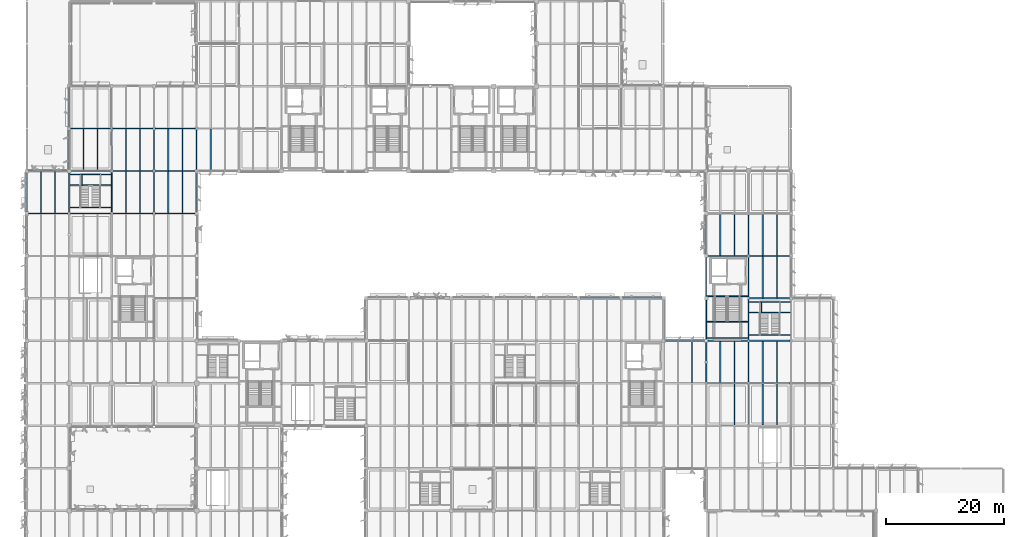
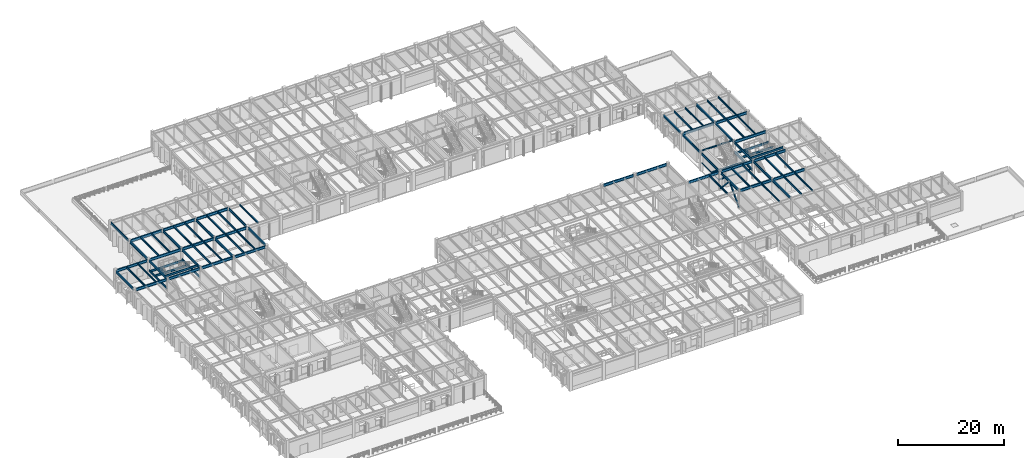
# One storey, part 20 of 92: 82 beams, 2 members.
"""IFC4 building model written with IfcOpenShell, lengths in metres."""

from ifc_helpers import new_model, si_unit, direction, frame, origin, origin_2d, place, context, subcontext, project, spatial, hollow_rectangle, i_section, extrude, material, material_profile, profile_set, type_object, element, save


model = new_model("IFC4")

# Units and contexts
model_context = context("Model", 3, precision=1e-05, world=origin(), true_north=direction((0.0, 1.0)))
body_context = subcontext(model_context, "Body", "Model", "MODEL_VIEW")
ifc_project = project(units=[si_unit("LENGTHUNIT", "METRE"), si_unit("AREAUNIT", "SQUARE_METRE"), si_unit("VOLUMEUNIT", "CUBIC_METRE"), si_unit("PLANEANGLEUNIT", "RADIAN"), si_unit("MASSUNIT", "GRAM", prefix="KILO")], contexts=[model_context])

# Site, building, storey
site_placement = place(None, origin())
site = spatial("IfcSite", under=ifc_project, at=site_placement, CompositionType="ELEMENT")
building_placement = place(site_placement, origin())
building = spatial("IfcBuilding", under=site, at=building_placement, Name="Sillqori Civic Hall", CompositionType="ELEMENT")
storey_placement = place(building_placement, frame((0.0, 0.0, 5.39990234375)))
storey = spatial("IfcBuildingStorey", under=building, at=storey_placement, Name="L02", CompositionType="ELEMENT", Elevation=5.39990234375)

# Beams
ifc_material_1 = material(Name="Steel ASTM A992", Category="steel")
ifc_material_profile_1 = material_profile(ifc_material_1, i_section(OverallWidth=0.19091796875, OverallDepth=0.4599609375, WebThickness=0.010009765625, FlangeThickness=0.01611328125, FilletRadius=0.012939453125, at=origin_2d()), Name="W18X55")
ifc_profile_set_1 = profile_set([ifc_material_profile_1], Name="Steel ASTM A992")
beam_type_1 = type_object("IfcBeamType", Name="BM-W18X55", PredefinedType="BEAM", material=ifc_profile_set_1)
beam_1_placement = place(storey_placement, frame((14.39990234375, 72.181884765625, 1.8251953125), z_axis=(0.0, 1.0, 0.0), x_axis=(-1.0, 0.0, 0.0)))
element("IfcBeam", 1, at=beam_1_placement, inside=storey, type_object=beam_type_1, Name="West Committee Upper Stair L02-L03 landing stringer girder W", PredefinedType="BEAM", context=body_context, shape_type="SweptSolid", body=[
    extrude(i_section(OverallWidth=0.19091796875, OverallDepth=0.4599609375, WebThickness=0.010009765625, FlangeThickness=0.01611328125, FilletRadius=0.012939453125, at=origin_2d()), origin(), (0.0, 0.0, 1.0), 6.72412109375),
])
beam_2_placement = place(storey_placement, frame((21.60009765625, 72.181884765625, 1.8251953125), z_axis=(0.0, 1.0, 0.0), x_axis=(-1.0, 0.0, 0.0)))
element("IfcBeam", 2, at=beam_2_placement, inside=storey, type_object=beam_type_1, Name="West Committee Upper Stair L02-L03 landing stringer girder E", PredefinedType="BEAM", context=body_context, shape_type="SweptSolid", body=[
    extrude(i_section(OverallWidth=0.19091796875, OverallDepth=0.4599609375, WebThickness=0.010009765625, FlangeThickness=0.01611328125, FilletRadius=0.012939453125, at=origin_2d()), origin(), (0.0, 0.0, 1.0), 6.836181640625),
])
for number, where, z_axis, x_axis, name in (
    (3, (14.43994140625, 76.7900390625, 1.8251953125), (1.0, 0.0, 0.0), (0.0, 1.0, 0.0), "West Committee Upper Stair L02-L03 half-landing cross trimmer 1"),
    (4, (14.43994140625, 78.580078125, 1.8251953125), (1.0, 0.0, 0.0), (0.0, 1.0, 0.0), "West Committee Upper Stair L02-L03 half-landing cross trimmer 2"),
):
    element("IfcBeam", number, at=place(storey_placement, frame(where, z_axis=z_axis, x_axis=x_axis)), inside=storey, type_object=beam_type_1, Name=name, PredefinedType="BEAM", context=body_context, shape_type="SweptSolid", body=[
        extrude(i_section(OverallWidth=0.19091796875, OverallDepth=0.4599609375, WebThickness=0.010009765625, FlangeThickness=0.01611328125, FilletRadius=0.012939453125, at=origin_2d()), origin(), (0.0, 0.0, 1.0), 7.1201171875),
    ])
beam_3_placement = place(storey_placement, frame((16.60009765625, 76.760009765625, 1.8251953125), z_axis=(0.0, 1.0, 0.0), x_axis=(-1.0, 0.0, 0.0)))
element("IfcBeam", 5, at=beam_3_placement, inside=storey, type_object=beam_type_1, Name="West Committee Upper Stair L02-L03 half-landing spine rib", PredefinedType="BEAM", context=body_context, shape_type="SweptSolid", body=[
    extrude(i_section(OverallWidth=0.19091796875, OverallDepth=0.4599609375, WebThickness=0.010009765625, FlangeThickness=0.01611328125, FilletRadius=0.012939453125, at=origin_2d()), origin(), (0.0, 0.0, 1.0), 1.85009765625),
])
beam_4_placement = place(storey_placement, frame((14.43994140625, 73.0, 4.0751953125), z_axis=(1.0, 0.0, 0.0), x_axis=(0.0, 1.0, 0.0)))
element("IfcBeam", 6, at=beam_4_placement, inside=storey, type_object=beam_type_1, Name="West Committee Upper Stair L02-L03 upper arrival trimmer beam", PredefinedType="BEAM", context=body_context, shape_type="SweptSolid", body=[
    extrude(i_section(OverallWidth=0.19091796875, OverallDepth=0.4599609375, WebThickness=0.010009765625, FlangeThickness=0.01611328125, FilletRadius=0.012939453125, at=origin_2d()), origin(), (0.0, 0.0, 1.0), 7.1201171875),
])
beam_5_placement = place(storey_placement, frame((129.60009765625, 50.577880859375, 1.8251953125), z_axis=(0.0, 1.0, 0.0), x_axis=(-1.0, 0.0, 0.0)))
element("IfcBeam", 7, at=beam_5_placement, inside=storey, type_object=beam_type_1, Name="Members Library Stacks Stair L02-L03 landing stringer girder W", PredefinedType="BEAM", context=body_context, shape_type="SweptSolid", body=[
    extrude(i_section(OverallWidth=0.19091796875, OverallDepth=0.4599609375, WebThickness=0.010009765625, FlangeThickness=0.01611328125, FilletRadius=0.012939453125, at=origin_2d()), origin(), (0.0, 0.0, 1.0), 6.84423828125),
])
for number, where, z_axis, x_axis, name in (
    (8, (129.639892578125, 55.18994140625, 1.8251953125), (1.0, 0.0, 0.0), (0.0, 1.0, 0.0), "Members Library Stacks Stair L02-L03 half-landing cross trimmer 1"),
    (9, (129.639892578125, 56.97998046875, 1.8251953125), (1.0, 0.0, 0.0), (0.0, 1.0, 0.0), "Members Library Stacks Stair L02-L03 half-landing cross trimmer 2"),
):
    element("IfcBeam", number, at=place(storey_placement, frame(where, z_axis=z_axis, x_axis=x_axis)), inside=storey, type_object=beam_type_1, Name=name, PredefinedType="BEAM", context=body_context, shape_type="SweptSolid", body=[
        extrude(i_section(OverallWidth=0.19091796875, OverallDepth=0.4599609375, WebThickness=0.010009765625, FlangeThickness=0.01611328125, FilletRadius=0.012939453125, at=origin_2d()), origin(), (0.0, 0.0, 1.0), 7.1201171875),
    ])
beam_6_placement = place(storey_placement, frame((131.800048828125, 55.159912109375, 1.8251953125), z_axis=(0.0, 1.0, 0.0), x_axis=(-1.0, 0.0, 0.0)))
element("IfcBeam", 10, at=beam_6_placement, inside=storey, type_object=beam_type_1, Name="Members Library Stacks Stair L02-L03 half-landing spine rib", PredefinedType="BEAM", context=body_context, shape_type="SweptSolid", body=[
    extrude(i_section(OverallWidth=0.19091796875, OverallDepth=0.4599609375, WebThickness=0.010009765625, FlangeThickness=0.01611328125, FilletRadius=0.012939453125, at=origin_2d()), origin(), (0.0, 0.0, 1.0), 1.85009765625),
])
beam_7_placement = place(storey_placement, frame((129.639892578125, 51.39990234375, 4.0751953125), z_axis=(1.0, 0.0, 0.0), x_axis=(0.0, 1.0, 0.0)))
element("IfcBeam", 11, at=beam_7_placement, inside=storey, type_object=beam_type_1, Name="Members Library Stacks Stair L02-L03 upper arrival trimmer beam", PredefinedType="BEAM", context=body_context, shape_type="SweptSolid", body=[
    extrude(i_section(OverallWidth=0.19091796875, OverallDepth=0.4599609375, WebThickness=0.010009765625, FlangeThickness=0.01611328125, FilletRadius=0.012939453125, at=origin_2d()), origin(), (0.0, 0.0, 1.0), 7.1201171875),
])
ifc_material_profile_2 = material_profile(ifc_material_1, i_section(OverallWidth=0.2099609375, OverallDepth=0.532958984375, WebThickness=0.01025390625, FlangeThickness=0.015625, FilletRadius=0.013916015625, at=origin_2d()), Name="W21X62")
ifc_profile_set_2 = profile_set([ifc_material_profile_2], Name="Steel ASTM A992")
beam_type_2 = type_object("IfcBeamType", Name="BM-W21X62", PredefinedType="BEAM", material=ifc_profile_set_2)
beam_8_placement = place(storey_placement, frame((7.199951171875, 72.2939453125, 4.03369140625), z_axis=(0.0, 1.0, 0.0), x_axis=(-1.0, 0.0, 0.0)))
element("IfcBeam", 12, at=beam_8_placement, inside=storey, type_object=beam_type_2, Name="L02 girder Y 1-10", PredefinedType="BEAM", context=body_context, shape_type="SweptSolid", body=[
    extrude(i_section(OverallWidth=0.2099609375, OverallDepth=0.532958984375, WebThickness=0.01025390625, FlangeThickness=0.015625, FilletRadius=0.013916015625, at=origin_2d()), origin(), (0.0, 0.0, 1.0), 6.612060546875),
])
beam_9_placement = place(storey_placement, frame((14.39990234375, 72.181884765625, 4.03369140625), z_axis=(0.0, 1.0, 0.0), x_axis=(-1.0, 0.0, 0.0)))
element("IfcBeam", 13, at=beam_9_placement, inside=storey, type_object=beam_type_2, Name="L02 girder Y 2-10", PredefinedType="BEAM", context=body_context, shape_type="SweptSolid", body=[
    extrude(i_section(OverallWidth=0.2099609375, OverallDepth=0.532958984375, WebThickness=0.01025390625, FlangeThickness=0.015625, FilletRadius=0.013916015625, at=origin_2d()), origin(), (0.0, 0.0, 1.0), 6.72412109375),
])
beam_10_placement = place(storey_placement, frame((14.39990234375, 79.493896484375, 4.03369140625), z_axis=(0.0, 1.0, 0.0), x_axis=(-1.0, 0.0, 0.0)))
element("IfcBeam", 14, at=beam_10_placement, inside=storey, type_object=beam_type_2, Name="L02 girder Y 2-11", PredefinedType="BEAM", context=body_context, shape_type="SweptSolid", body=[
    extrude(i_section(OverallWidth=0.2099609375, OverallDepth=0.532958984375, WebThickness=0.01025390625, FlangeThickness=0.015625, FilletRadius=0.013916015625, at=origin_2d()), origin(), (0.0, 0.0, 1.0), 6.662109375),
])
beam_11_placement = place(storey_placement, frame((14.39990234375, 86.64404296875, 4.03369140625), z_axis=(0.0, 1.0, 0.0), x_axis=(-1.0, 0.0, 0.0)))
element("IfcBeam", 15, at=beam_11_placement, inside=storey, type_object=beam_type_2, Name="L02 girder Y 2-12", PredefinedType="BEAM", context=body_context, shape_type="SweptSolid", body=[
    extrude(i_section(OverallWidth=0.2099609375, OverallDepth=0.532958984375, WebThickness=0.01025390625, FlangeThickness=0.015625, FilletRadius=0.013916015625, at=origin_2d()), origin(), (0.0, 0.0, 1.0), 6.7119140625),
])
beam_12_placement = place(storey_placement, frame((21.60009765625, 72.181884765625, 4.03369140625), z_axis=(0.0, 1.0, 0.0), x_axis=(-1.0, 0.0, 0.0)))
element("IfcBeam", 16, at=beam_12_placement, inside=storey, type_object=beam_type_2, Name="L02 girder Y 3-10", PredefinedType="BEAM", context=body_context, shape_type="SweptSolid", body=[
    extrude(i_section(OverallWidth=0.2099609375, OverallDepth=0.532958984375, WebThickness=0.01025390625, FlangeThickness=0.015625, FilletRadius=0.013916015625, at=origin_2d()), origin(), (0.0, 0.0, 1.0), 6.836181640625),
])
beam_13_placement = place(storey_placement, frame((21.60009765625, 79.382080078125, 4.03369140625), z_axis=(0.0, 1.0, 0.0), x_axis=(-1.0, 0.0, 0.0)))
element("IfcBeam", 17, at=beam_13_placement, inside=storey, type_object=beam_type_2, Name="L02 girder Y 3-11", PredefinedType="BEAM", context=body_context, shape_type="SweptSolid", body=[
    extrude(i_section(OverallWidth=0.2099609375, OverallDepth=0.532958984375, WebThickness=0.01025390625, FlangeThickness=0.015625, FilletRadius=0.013916015625, at=origin_2d()), origin(), (0.0, 0.0, 1.0), 6.843505859375),
])
beam_14_placement = place(storey_placement, frame((28.800048828125, 72.181884765625, 4.03369140625), z_axis=(0.0, 1.0, 0.0), x_axis=(-1.0, 0.0, 0.0)))
element("IfcBeam", 18, at=beam_14_placement, inside=storey, type_object=beam_type_2, Name="L02 girder Y 4-10", PredefinedType="BEAM", context=body_context, shape_type="SweptSolid", body=[
    extrude(i_section(OverallWidth=0.2099609375, OverallDepth=0.532958984375, WebThickness=0.01025390625, FlangeThickness=0.015625, FilletRadius=0.013916015625, at=origin_2d()), origin(), (0.0, 0.0, 1.0), 6.836181640625),
])
beam_15_placement = place(storey_placement, frame((28.800048828125, 79.382080078125, 4.03369140625), z_axis=(0.0, 1.0, 0.0), x_axis=(-1.0, 0.0, 0.0)))
element("IfcBeam", 19, at=beam_15_placement, inside=storey, type_object=beam_type_2, Name="L02 girder Y 4-11", PredefinedType="BEAM", context=body_context, shape_type="SweptSolid", body=[
    extrude(i_section(OverallWidth=0.2099609375, OverallDepth=0.532958984375, WebThickness=0.01025390625, FlangeThickness=0.015625, FilletRadius=0.013916015625, at=origin_2d()), origin(), (0.0, 0.0, 1.0), 6.83984375),
])
beam_16_placement = place(storey_placement, frame((36.0, 72.2939453125, 4.03369140625), z_axis=(0.0, 1.0, 0.0), x_axis=(-1.0, 0.0, 0.0)))
element("IfcBeam", 20, at=beam_16_placement, inside=storey, type_object=beam_type_2, Name="L02 girder Y 5-10", PredefinedType="BEAM", context=body_context, shape_type="SweptSolid", body=[
    extrude(i_section(OverallWidth=0.2099609375, OverallDepth=0.532958984375, WebThickness=0.01025390625, FlangeThickness=0.015625, FilletRadius=0.013916015625, at=origin_2d()), origin(), (0.0, 0.0, 1.0), 6.612060546875),
])
beam_17_placement = place(storey_placement, frame((36.0, 79.493896484375, 4.03369140625), z_axis=(0.0, 1.0, 0.0), x_axis=(-1.0, 0.0, 0.0)))
element("IfcBeam", 21, at=beam_17_placement, inside=storey, type_object=beam_type_2, Name="L02 girder Y 5-11", PredefinedType="BEAM", context=body_context, shape_type="SweptSolid", body=[
    extrude(i_section(OverallWidth=0.2099609375, OverallDepth=0.532958984375, WebThickness=0.01025390625, FlangeThickness=0.015625, FilletRadius=0.013916015625, at=origin_2d()), origin(), (0.0, 0.0, 1.0), 6.72412109375),
])
beam_18_placement = place(storey_placement, frame((122.39990234375, 43.3779296875, 4.03369140625), z_axis=(0.0, 1.0, 0.0), x_axis=(-1.0, 0.0, 0.0)))
element("IfcBeam", 22, at=beam_18_placement, inside=storey, type_object=beam_type_2, Name="L02 girder Y 17-6", PredefinedType="BEAM", context=body_context, shape_type="SweptSolid", body=[
    extrude(i_section(OverallWidth=0.2099609375, OverallDepth=0.532958984375, WebThickness=0.01025390625, FlangeThickness=0.015625, FilletRadius=0.013916015625, at=origin_2d()), origin(), (0.0, 0.0, 1.0), 6.72802734375),
])
beam_19_placement = place(storey_placement, frame((122.39990234375, 50.694091796875, 4.03369140625), z_axis=(0.0, 1.0, 0.0), x_axis=(-1.0, 0.0, 0.0)))
element("IfcBeam", 23, at=beam_19_placement, inside=storey, type_object=beam_type_2, Name="L02 girder Y 17-7", PredefinedType="BEAM", context=body_context, shape_type="SweptSolid", body=[
    extrude(i_section(OverallWidth=0.2099609375, OverallDepth=0.532958984375, WebThickness=0.01025390625, FlangeThickness=0.015625, FilletRadius=0.013916015625, at=origin_2d()), origin(), (0.0, 0.0, 1.0), 6.61181640625),
])
for number, where, z_axis, x_axis, name in (
    (24, (122.39990234375, 57.89404296875, 4.03369140625), (0.0, 1.0, 0.0), (-1.0, 0.0, 0.0), "L02 girder Y 17-8"),
    (25, (122.39990234375, 65.093994140625, 4.03369140625), (0.0, 1.0, 0.0), (-1.0, 0.0, 0.0), "L02 girder Y 17-9"),
):
    element("IfcBeam", number, at=place(storey_placement, frame(where, z_axis=z_axis, x_axis=x_axis)), inside=storey, type_object=beam_type_2, Name=name, PredefinedType="BEAM", context=body_context, shape_type="SweptSolid", body=[
        extrude(i_section(OverallWidth=0.2099609375, OverallDepth=0.532958984375, WebThickness=0.01025390625, FlangeThickness=0.015625, FilletRadius=0.013916015625, at=origin_2d()), origin(), (0.0, 0.0, 1.0), 6.612060546875),
    ])
for number, where, z_axis, x_axis, name in (
    (26, (129.60009765625, 36.177978515625, 4.03369140625), (0.0, 1.0, 0.0), (-1.0, 0.0, 0.0), "L02 girder Y 18-5"),
    (27, (129.60009765625, 43.3779296875, 4.03369140625), (0.0, 1.0, 0.0), (-1.0, 0.0, 0.0), "L02 girder Y 18-6"),
):
    element("IfcBeam", number, at=place(storey_placement, frame(where, z_axis=z_axis, x_axis=x_axis)), inside=storey, type_object=beam_type_2, Name=name, PredefinedType="BEAM", context=body_context, shape_type="SweptSolid", body=[
        extrude(i_section(OverallWidth=0.2099609375, OverallDepth=0.532958984375, WebThickness=0.01025390625, FlangeThickness=0.015625, FilletRadius=0.013916015625, at=origin_2d()), origin(), (0.0, 0.0, 1.0), 6.843994140625),
    ])
beam_20_placement = place(storey_placement, frame((129.60009765625, 50.577880859375, 4.03369140625), z_axis=(0.0, 1.0, 0.0), x_axis=(-1.0, 0.0, 0.0)))
element("IfcBeam", 28, at=beam_20_placement, inside=storey, type_object=beam_type_2, Name="L02 girder Y 18-7", PredefinedType="BEAM", context=body_context, shape_type="SweptSolid", body=[
    extrude(i_section(OverallWidth=0.2099609375, OverallDepth=0.532958984375, WebThickness=0.01025390625, FlangeThickness=0.015625, FilletRadius=0.013916015625, at=origin_2d()), origin(), (0.0, 0.0, 1.0), 6.84423828125),
])
for number, where, z_axis, x_axis, name in (
    (29, (129.60009765625, 57.778076171875, 4.03369140625), (0.0, 1.0, 0.0), (-1.0, 0.0, 0.0), "L02 girder Y 18-8"),
    (30, (129.60009765625, 64.97802734375, 4.03369140625), (0.0, 1.0, 0.0), (-1.0, 0.0, 0.0), "L02 girder Y 18-9"),
):
    element("IfcBeam", number, at=place(storey_placement, frame(where, z_axis=z_axis, x_axis=x_axis)), inside=storey, type_object=beam_type_2, Name=name, PredefinedType="BEAM", context=body_context, shape_type="SweptSolid", body=[
        extrude(i_section(OverallWidth=0.2099609375, OverallDepth=0.532958984375, WebThickness=0.01025390625, FlangeThickness=0.015625, FilletRadius=0.013916015625, at=origin_2d()), origin(), (0.0, 0.0, 1.0), 6.843994140625),
    ])
ifc_material_profile_3 = material_profile(ifc_material_1, i_section(OverallWidth=0.22802734375, OverallDepth=0.60205078125, WebThickness=0.010498046875, FlangeThickness=0.014892578125, FilletRadius=0.014892578125, at=origin_2d()), Name="W24X68")
ifc_profile_set_3 = profile_set([ifc_material_profile_3], Name="Steel ASTM A992")
beam_type_3 = type_object("IfcBeamType", Name="BM-W24X68", PredefinedType="BEAM", material=ifc_profile_set_3)
beam_21_placement = place(storey_placement, frame((7.493896484375, 72.0, 3.9990234375), z_axis=(1.0, 0.0, 0.0), x_axis=(0.0, 1.0, 0.0)))
element("IfcBeam", 31, at=beam_21_placement, inside=storey, type_object=beam_type_3, Name="L02 girder X 1-10", PredefinedType="BEAM", context=body_context, shape_type="SweptSolid", body=[
    extrude(i_section(OverallWidth=0.22802734375, OverallDepth=0.60205078125, WebThickness=0.010498046875, FlangeThickness=0.014892578125, FilletRadius=0.014892578125, at=origin_2d()), origin(), (0.0, 0.0, 1.0), 6.715087890625),
])
beam_22_placement = place(storey_placement, frame((7.493896484375, 79.199951171875, 3.9990234375), z_axis=(1.0, 0.0, 0.0), x_axis=(0.0, 1.0, 0.0)))
element("IfcBeam", 32, at=beam_22_placement, inside=storey, type_object=beam_type_3, Name="L02 girder X 1-11", PredefinedType="BEAM", context=body_context, shape_type="SweptSolid", body=[
    extrude(i_section(OverallWidth=0.22802734375, OverallDepth=0.60205078125, WebThickness=0.010498046875, FlangeThickness=0.014892578125, FilletRadius=0.014892578125, at=origin_2d()), origin(), (0.0, 0.0, 1.0), 6.612060546875),
])
beam_23_placement = place(storey_placement, frame((14.591064453125, 72.0, 3.9990234375), z_axis=(1.0, 0.0, 0.0), x_axis=(0.0, 1.0, 0.0)))
element("IfcBeam", 33, at=beam_23_placement, inside=storey, type_object=beam_type_3, Name="L02 girder X 2-10", PredefinedType="BEAM", context=body_context, shape_type="SweptSolid", body=[
    extrude(i_section(OverallWidth=0.22802734375, OverallDepth=0.60205078125, WebThickness=0.010498046875, FlangeThickness=0.014892578125, FilletRadius=0.014892578125, at=origin_2d()), origin(), (0.0, 0.0, 1.0), 6.81787109375),
])
beam_24_placement = place(storey_placement, frame((14.694091796875, 79.199951171875, 3.9990234375), z_axis=(1.0, 0.0, 0.0), x_axis=(0.0, 1.0, 0.0)))
element("IfcBeam", 34, at=beam_24_placement, inside=storey, type_object=beam_type_3, Name="L02 girder X 2-11", PredefinedType="BEAM", context=body_context, shape_type="SweptSolid", body=[
    extrude(i_section(OverallWidth=0.22802734375, OverallDepth=0.60205078125, WebThickness=0.010498046875, FlangeThickness=0.014892578125, FilletRadius=0.014892578125, at=origin_2d()), origin(), (0.0, 0.0, 1.0), 6.71484375),
])
beam_25_placement = place(storey_placement, frame((14.64404296875, 86.39990234375, 3.9990234375), z_axis=(1.0, 0.0, 0.0), x_axis=(0.0, 1.0, 0.0)))
element("IfcBeam", 35, at=beam_25_placement, inside=storey, type_object=beam_type_3, Name="L02 girder X 2-12", PredefinedType="BEAM", context=body_context, shape_type="SweptSolid", body=[
    extrude(i_section(OverallWidth=0.22802734375, OverallDepth=0.60205078125, WebThickness=0.010498046875, FlangeThickness=0.014892578125, FilletRadius=0.014892578125, at=origin_2d()), origin(), (0.0, 0.0, 1.0), 6.7763671875),
])
for number, where, z_axis, x_axis, name in (
    (36, (21.791015625, 72.0, 3.9990234375), (1.0, 0.0, 0.0), (0.0, 1.0, 0.0), "L02 girder X 3-10"),
    (37, (21.791015625, 79.199951171875, 3.9990234375), (1.0, 0.0, 0.0), (0.0, 1.0, 0.0), "L02 girder X 3-11"),
):
    element("IfcBeam", number, at=place(storey_placement, frame(where, z_axis=z_axis, x_axis=x_axis)), inside=storey, type_object=beam_type_3, Name=name, PredefinedType="BEAM", context=body_context, shape_type="SweptSolid", body=[
        extrude(i_section(OverallWidth=0.22802734375, OverallDepth=0.60205078125, WebThickness=0.010498046875, FlangeThickness=0.014892578125, FilletRadius=0.014892578125, at=origin_2d()), origin(), (0.0, 0.0, 1.0), 6.81787109375),
    ])
beam_26_placement = place(storey_placement, frame((21.779541015625, 86.39990234375, 3.9990234375), z_axis=(1.0, 0.0, 0.0), x_axis=(0.0, 1.0, 0.0)))
element("IfcBeam", 38, at=beam_26_placement, inside=storey, type_object=beam_type_3, Name="L02 girder X 3-12", PredefinedType="BEAM", context=body_context, shape_type="SweptSolid", body=[
    extrude(i_section(OverallWidth=0.22802734375, OverallDepth=0.60205078125, WebThickness=0.010498046875, FlangeThickness=0.014892578125, FilletRadius=0.014892578125, at=origin_2d()), origin(), (0.0, 0.0, 1.0), 6.83984375),
])
for number, where, z_axis, x_axis, name in (
    (39, (28.990966796875, 72.0, 3.9990234375), (1.0, 0.0, 0.0), (0.0, 1.0, 0.0), "L02 girder X 4-10"),
    (40, (28.990966796875, 79.199951171875, 3.9990234375), (1.0, 0.0, 0.0), (0.0, 1.0, 0.0), "L02 girder X 4-11"),
):
    element("IfcBeam", number, at=place(storey_placement, frame(where, z_axis=z_axis, x_axis=x_axis)), inside=storey, type_object=beam_type_3, Name=name, PredefinedType="BEAM", context=body_context, shape_type="SweptSolid", body=[
        extrude(i_section(OverallWidth=0.22802734375, OverallDepth=0.60205078125, WebThickness=0.010498046875, FlangeThickness=0.014892578125, FilletRadius=0.014892578125, at=origin_2d()), origin(), (0.0, 0.0, 1.0), 6.715087890625),
    ])
beam_27_placement = place(storey_placement, frame((28.98046875, 86.39990234375, 3.9990234375), z_axis=(1.0, 0.0, 0.0), x_axis=(0.0, 1.0, 0.0)))
element("IfcBeam", 41, at=beam_27_placement, inside=storey, type_object=beam_type_3, Name="L02 girder X 4-12", PredefinedType="BEAM", context=body_context, shape_type="SweptSolid", body=[
    extrude(i_section(OverallWidth=0.22802734375, OverallDepth=0.60205078125, WebThickness=0.010498046875, FlangeThickness=0.014892578125, FilletRadius=0.014892578125, at=origin_2d()), origin(), (0.0, 0.0, 1.0), 6.82861328125),
])
for number, where, z_axis, x_axis, name in (
    (42, (101.093994140625, 57.60009765625, 3.9990234375), (1.0, 0.0, 0.0), (0.0, 1.0, 0.0), "L02 girder X 14-8"),
    (43, (108.2939453125, 57.60009765625, 3.9990234375), (1.0, 0.0, 0.0), (0.0, 1.0, 0.0), "L02 girder X 15-8"),
    (44, (115.493896484375, 50.39990234375, 3.9990234375), (1.0, 0.0, 0.0), (0.0, 1.0, 0.0), "L02 girder X 16-7"),
):
    element("IfcBeam", number, at=place(storey_placement, frame(where, z_axis=z_axis, x_axis=x_axis)), inside=storey, type_object=beam_type_3, Name=name, PredefinedType="BEAM", context=body_context, shape_type="SweptSolid", body=[
        extrude(i_section(OverallWidth=0.22802734375, OverallDepth=0.60205078125, WebThickness=0.010498046875, FlangeThickness=0.014892578125, FilletRadius=0.014892578125, at=origin_2d()), origin(), (0.0, 0.0, 1.0), 6.612060546875),
    ])
ifc_material_profile_4 = material_profile(ifc_material_1, i_section(OverallWidth=0.22900390625, OverallDepth=0.612060546875, WebThickness=0.011962890625, FlangeThickness=0.01953125, FilletRadius=0.014892578125, at=origin_2d()), Name="W24X84")
ifc_profile_set_4 = profile_set([ifc_material_profile_4], Name="Steel ASTM A992")
beam_type_4 = type_object("IfcBeamType", Name="BM-W24X84", PredefinedType="BEAM", material=ifc_profile_set_4)
beam_28_placement = place(storey_placement, frame((122.58056640625, 43.199951171875, 3.994140625), z_axis=(1.0, 0.0, 0.0), x_axis=(0.0, 1.0, 0.0)))
element("IfcBeam", 45, at=beam_28_placement, inside=storey, type_object=beam_type_4, Name="L02 girder X 17-6", PredefinedType="BEAM", context=body_context, shape_type="SweptSolid", body=[
    extrude(i_section(OverallWidth=0.22900390625, OverallDepth=0.612060546875, WebThickness=0.011962890625, FlangeThickness=0.01953125, FilletRadius=0.014892578125, at=origin_2d()), origin(), (0.0, 0.0, 1.0), 6.8388671875),
])
for number, where, z_axis, x_axis, name in (
    (46, (122.694091796875, 50.39990234375, 3.994140625), (1.0, 0.0, 0.0), (0.0, 1.0, 0.0), "L02 girder X 17-7"),
    (47, (122.694091796875, 64.800048828125, 3.994140625), (1.0, 0.0, 0.0), (0.0, 1.0, 0.0), "L02 girder X 17-9"),
):
    element("IfcBeam", number, at=place(storey_placement, frame(where, z_axis=z_axis, x_axis=x_axis)), inside=storey, type_object=beam_type_4, Name=name, PredefinedType="BEAM", context=body_context, shape_type="SweptSolid", body=[
        extrude(i_section(OverallWidth=0.22900390625, OverallDepth=0.612060546875, WebThickness=0.011962890625, FlangeThickness=0.01953125, FilletRadius=0.014892578125, at=origin_2d()), origin(), (0.0, 0.0, 1.0), 6.725341796875),
    ])
for number, where, z_axis, x_axis, name in (
    (48, (129.780517578125, 43.199951171875, 3.994140625), (1.0, 0.0, 0.0), (0.0, 1.0, 0.0), "L02 girder X 18-6"),
    (49, (129.780517578125, 50.39990234375, 3.994140625), (1.0, 0.0, 0.0), (0.0, 1.0, 0.0), "L02 girder X 18-7"),
):
    element("IfcBeam", number, at=place(storey_placement, frame(where, z_axis=z_axis, x_axis=x_axis)), inside=storey, type_object=beam_type_4, Name=name, PredefinedType="BEAM", context=body_context, shape_type="SweptSolid", body=[
        extrude(i_section(OverallWidth=0.22900390625, OverallDepth=0.612060546875, WebThickness=0.011962890625, FlangeThickness=0.01953125, FilletRadius=0.014892578125, at=origin_2d()), origin(), (0.0, 0.0, 1.0), 6.8388671875),
    ])
for number, where, z_axis, x_axis, name in (
    (50, (129.780517578125, 57.60009765625, 3.994140625), (1.0, 0.0, 0.0), (0.0, 1.0, 0.0), "L02 girder X 18-8"),
    (51, (129.780517578125, 64.800048828125, 3.994140625), (1.0, 0.0, 0.0), (0.0, 1.0, 0.0), "L02 girder X 18-9"),
):
    element("IfcBeam", number, at=place(storey_placement, frame(where, z_axis=z_axis, x_axis=x_axis)), inside=storey, type_object=beam_type_4, Name=name, PredefinedType="BEAM", context=body_context, shape_type="SweptSolid", body=[
        extrude(i_section(OverallWidth=0.22900390625, OverallDepth=0.612060546875, WebThickness=0.011962890625, FlangeThickness=0.01953125, FilletRadius=0.014892578125, at=origin_2d()), origin(), (0.0, 0.0, 1.0), 6.7255859375),
    ])

# Members
ifc_material_2 = material(Name="Steel ASTM A500 Grade C", Category="steel")
ifc_material_profile_5 = material_profile(ifc_material_2, hollow_rectangle(XDim=0.25, YDim=0.25, WallThickness=0.011962890625, InnerFilletRadius=0.011962890625, OuterFilletRadius=0.02392578125, at=origin_2d()), Name="HSS250X250X12")
ifc_profile_set_5 = profile_set([ifc_material_profile_5], Name="Steel ASTM A500 Grade C")
member_type = type_object("IfcMemberType", Name="BR-HSS250", PredefinedType="BRACE", material=ifc_profile_set_5)
for number, where, z_axis, x_axis, name in (
    (52, (122.39990234375, 43.199951171875, 0.150146484375), (0.0, 0.683017671411, 0.73040184867), (-1.0, 0.0, 0.0), "L02 seismic chevron brace L Y17-6"),
    (53, (122.39990234375, 50.39990234375, 0.150146484375), (0.0, -0.682992959744, 0.730424956406), (1.0, 0.0, 0.0), "L02 seismic chevron brace R Y17-6"),
):
    element("IfcMember", number, at=place(storey_placement, frame(where, z_axis=z_axis, x_axis=x_axis)), inside=storey, type_object=member_type, Name=name, PredefinedType="BRACE", context=body_context, shape_type="SweptSolid", body=[
        extrude(hollow_rectangle(XDim=0.25, YDim=0.25, WallThickness=0.011962890625, InnerFilletRadius=0.011962890625, OuterFilletRadius=0.02392578125, at=origin_2d()), origin(), (0.0, 0.0, 1.0), 5.270751953125),
    ])

# Beams
ifc_material_profile_6 = material_profile(ifc_material_1, i_section(OverallWidth=0.177978515625, OverallDepth=0.404052734375, WebThickness=0.007568359375, FlangeThickness=0.010986328125, FilletRadius=0.011962890625, at=origin_2d()), Name="W16X36")
ifc_profile_set_6 = profile_set([ifc_material_profile_6], Name="Steel ASTM A992")
beam_type_5 = type_object("IfcBeamType", Name="JS-W16X36", PredefinedType="JOIST", material=ifc_profile_set_6)
for number, where, z_axis, x_axis, name in (
    (54, (9.60009765625, 72.094970703125, 4.09814453125), (0.0, 1.0, 0.0), (-1.0, 0.0, 0.0), "L02 composite joist 1-10.1"),
    (55, (12.0, 72.094970703125, 4.09814453125), (0.0, 1.0, 0.0), (-1.0, 0.0, 0.0), "L02 composite joist 1-10.2"),
    (56, (16.800048828125, 79.294921875, 4.09814453125), (0.0, 1.0, 0.0), (-1.0, 0.0, 0.0), "L02 composite joist 2-11.1"),
    (57, (19.199951171875, 79.294921875, 4.09814453125), (0.0, 1.0, 0.0), (-1.0, 0.0, 0.0), "L02 composite joist 2-11.2"),
    (58, (24.0, 72.094970703125, 4.09814453125), (0.0, 1.0, 0.0), (-1.0, 0.0, 0.0), "L02 composite joist 3-10.1"),
    (59, (26.39990234375, 72.094970703125, 4.09814453125), (0.0, 1.0, 0.0), (-1.0, 0.0, 0.0), "L02 composite joist 3-10.2"),
    (60, (24.0, 79.294921875, 4.09814453125), (0.0, 1.0, 0.0), (-1.0, 0.0, 0.0), "L02 composite joist 3-11.1"),
    (61, (26.39990234375, 79.294921875, 4.09814453125), (0.0, 1.0, 0.0), (-1.0, 0.0, 0.0), "L02 composite joist 3-11.2"),
    (62, (31.199951171875, 72.094970703125, 4.09814453125), (0.0, 1.0, 0.0), (-1.0, 0.0, 0.0), "L02 composite joist 4-10.1"),
    (63, (33.60009765625, 72.094970703125, 4.09814453125), (0.0, 1.0, 0.0), (-1.0, 0.0, 0.0), "L02 composite joist 4-10.2"),
    (64, (31.199951171875, 79.294921875, 4.09814453125), (0.0, 1.0, 0.0), (-1.0, 0.0, 0.0), "L02 composite joist 4-11.1"),
    (65, (33.60009765625, 79.294921875, 4.09814453125), (0.0, 1.0, 0.0), (-1.0, 0.0, 0.0), "L02 composite joist 4-11.2"),
    (66, (38.39990234375, 79.294921875, 4.09814453125), (0.0, 1.0, 0.0), (-1.0, 0.0, 0.0), "L02 composite joist 5-11.1"),
    (67, (120.0, 43.294921875, 4.09814453125), (0.0, 1.0, 0.0), (-1.0, 0.0, 0.0), "L02 composite joist 16-6.2"),
    (68, (127.199951171875, 36.094970703125, 4.09814453125), (0.0, 1.0, 0.0), (-1.0, 0.0, 0.0), "L02 composite joist 17-5.2"),
    (69, (124.800048828125, 43.294921875, 4.09814453125), (0.0, 1.0, 0.0), (-1.0, 0.0, 0.0), "L02 composite joist 17-6.1"),
    (70, (127.199951171875, 43.294921875, 4.09814453125), (0.0, 1.0, 0.0), (-1.0, 0.0, 0.0), "L02 composite joist 17-6.2"),
    (71, (124.800048828125, 64.89501953125, 4.09814453125), (0.0, 1.0, 0.0), (-1.0, 0.0, 0.0), "L02 composite joist 17-9.1"),
    (72, (127.199951171875, 64.89501953125, 4.09814453125), (0.0, 1.0, 0.0), (-1.0, 0.0, 0.0), "L02 composite joist 17-9.2"),
    (73, (132.0, 36.094970703125, 4.09814453125), (0.0, 1.0, 0.0), (-1.0, 0.0, 0.0), "L02 composite joist 18-5.1"),
    (74, (134.39990234375, 36.094970703125, 4.09814453125), (0.0, 1.0, 0.0), (-1.0, 0.0, 0.0), "L02 composite joist 18-5.2"),
    (75, (132.0, 43.294921875, 4.09814453125), (0.0, 1.0, 0.0), (-1.0, 0.0, 0.0), "L02 composite joist 18-6.1"),
    (76, (134.39990234375, 43.294921875, 4.09814453125), (0.0, 1.0, 0.0), (-1.0, 0.0, 0.0), "L02 composite joist 18-6.2"),
    (77, (132.0, 57.695068359375, 4.09814453125), (0.0, 1.0, 0.0), (-1.0, 0.0, 0.0), "L02 composite joist 18-8.1"),
    (78, (134.39990234375, 57.695068359375, 4.09814453125), (0.0, 1.0, 0.0), (-1.0, 0.0, 0.0), "L02 composite joist 18-8.2"),
    (79, (132.0, 64.89501953125, 4.09814453125), (0.0, 1.0, 0.0), (-1.0, 0.0, 0.0), "L02 composite joist 18-9.1"),
    (80, (134.39990234375, 64.89501953125, 4.09814453125), (0.0, 1.0, 0.0), (-1.0, 0.0, 0.0), "L02 composite joist 18-9.2"),
):
    element("IfcBeam", number, at=place(storey_placement, frame(where, z_axis=z_axis, x_axis=x_axis)), inside=storey, type_object=beam_type_5, Name=name, PredefinedType="JOIST", context=body_context, shape_type="SweptSolid", body=[
        extrude(i_section(OverallWidth=0.177978515625, OverallDepth=0.404052734375, WebThickness=0.007568359375, FlangeThickness=0.010986328125, FilletRadius=0.011962890625, at=origin_2d()), origin(), (0.0, 0.0, 1.0), 7.010009765625),
    ])
ifc_material_profile_7 = material_profile(ifc_material_1, i_section(OverallWidth=0.133056640625, OverallDepth=0.20703125, WebThickness=0.005859375, FlangeThickness=0.00830078125, FilletRadius=0.008056640625, at=origin_2d()), Name="W8X18")
ifc_profile_set_7 = profile_set([ifc_material_profile_7], Name="Steel ASTM A992")
beam_type_6 = type_object("IfcBeamType", Name="LN-W8X18", PredefinedType="LINTEL", material=ifc_profile_set_7)
beam_29_placement = place(storey_placement, frame((122.39990234375, 50.694091796875, 1.9326171875), z_axis=(0.0, 1.0, 0.0), x_axis=(-1.0, 0.0, 0.0)))
element("IfcBeam", 81, at=beam_29_placement, inside=storey, type_object=beam_type_6, Name="L02 grid 17 stair landing stringer 1", PredefinedType="LINTEL", context=body_context, shape_type="SweptSolid", body=[
    extrude(i_section(OverallWidth=0.133056640625, OverallDepth=0.20703125, WebThickness=0.005859375, FlangeThickness=0.00830078125, FilletRadius=0.008056640625, at=origin_2d()), origin(), (0.0, 0.0, 1.0), 6.61181640625),
])
for number, where, z_axis, x_axis, name in (
    (82, (122.449951171875, 50.89501953125, 1.9326171875), (1.0, 0.0, 0.0), (0.0, 1.0, 0.0), "L02 C2 stair half-landing steel ledger 1.1"),
    (83, (122.449951171875, 53.6298828125, 1.9326171875), (1.0, 0.0, 0.0), (0.0, 1.0, 0.0), "L02 C2 stair half-landing steel ledger 1.2"),
    (84, (122.449951171875, 57.969970703125, 4.20263671875), (1.0, 0.0, 0.0), (0.0, 1.0, 0.0), "L02 C2 stair upper arrival steel trimmer"),
):
    element("IfcBeam", number, at=place(storey_placement, frame(where, z_axis=z_axis, x_axis=x_axis)), inside=storey, type_object=beam_type_6, Name=name, PredefinedType="LINTEL", context=body_context, shape_type="SweptSolid", body=[
        extrude(i_section(OverallWidth=0.133056640625, OverallDepth=0.20703125, WebThickness=0.005859375, FlangeThickness=0.00830078125, FilletRadius=0.008056640625, at=origin_2d()), origin(), (0.0, 0.0, 1.0), 7.10009765625),
    ])

save(model, "model.ifc")
